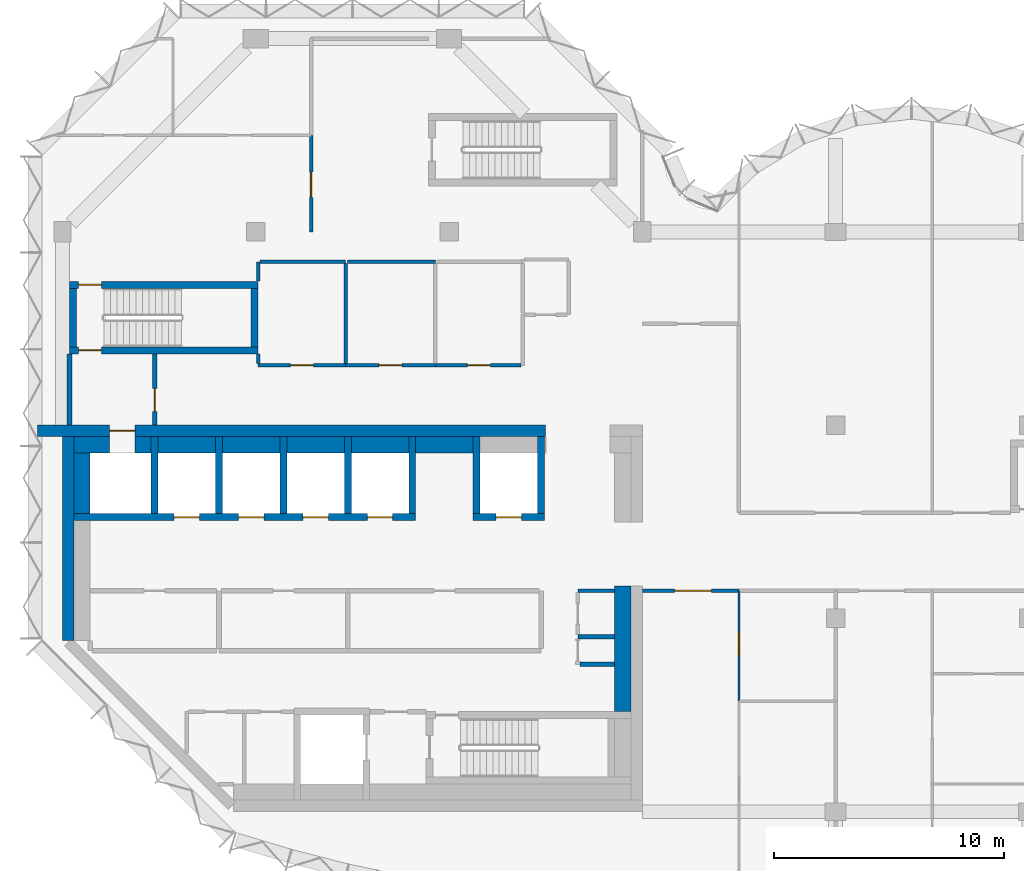
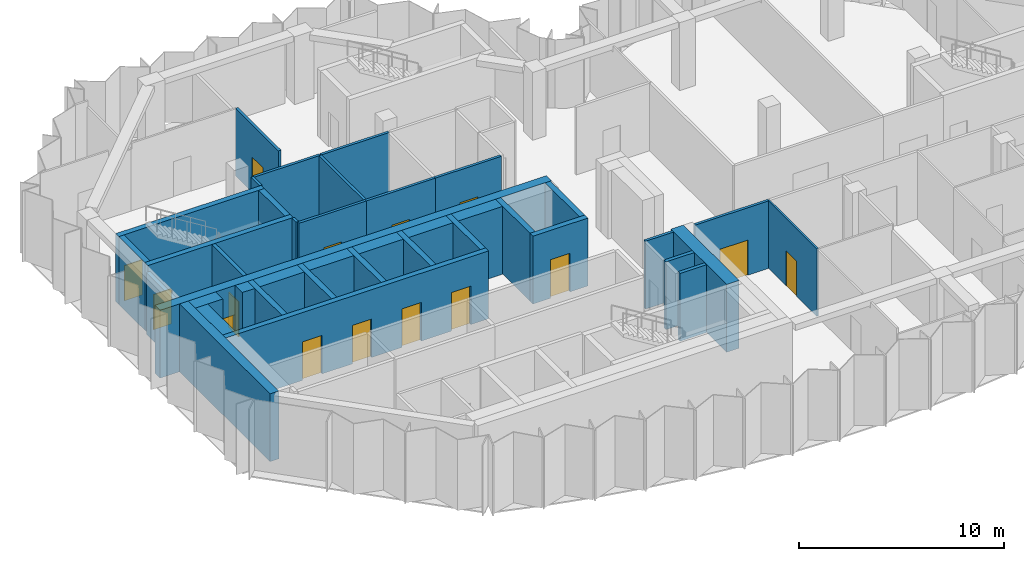
# One storey, part 5 of 10: 40 walls, 15 doors, 15 openings.
"""IFC4 building model written with IfcOpenShell, lengths in metres."""

from ifc_helpers import new_model, si_unit, direction, frame, frame_2d, origin, place, context, subcontext, project, spatial, rectangle, extrude, material, layer, layer_set, type_object, element, fill, save


model = new_model("IFC4")

# Units and contexts
model_context = context("Model", 3, precision=1e-05, world=origin(), true_north=direction((0.0, 1.0)))
body_context = subcontext(model_context, "Body", "Model", "MODEL_VIEW")
ifc_project = project(units=[si_unit("LENGTHUNIT", "METRE"), si_unit("AREAUNIT", "SQUARE_METRE"), si_unit("VOLUMEUNIT", "CUBIC_METRE"), si_unit("PLANEANGLEUNIT", "RADIAN"), si_unit("MASSUNIT", "GRAM", prefix="KILO")], contexts=[model_context])

# Site, building, storey
site_placement = place(None, origin())
site = spatial("IfcSite", under=ifc_project, at=site_placement, CompositionType="ELEMENT")
building_placement = place(site_placement, origin())
building = spatial("IfcBuilding", under=site, at=building_placement, Name="Brevane Broadcast Tower", CompositionType="ELEMENT")
storey_placement = place(building_placement, frame((0.0, 0.0, 251.699951171875)))
storey = spatial("IfcBuildingStorey", under=building, at=storey_placement, Name="L64", CompositionType="ELEMENT", Elevation=251.699951171875)

# Walls
ifc_material_1 = material(Name="Concrete C32/40", Category="concrete")
ifc_layer_1 = layer(ifc_material_1, 0.699951171875)
ifc_layer_set_1 = layer_set([ifc_layer_1], Name="Core chase wall 700 mm")
wall_type_1 = type_object("IfcWallType", Name="Core chase wall 700 mm", PredefinedType="PARTITIONING", material=ifc_layer_set_1)
wall_1_placement = place(storey_placement, frame((0.5, 15.949951171875, 0.0), z_axis=(0.0, 0.0, 1.0), x_axis=(1.0, 0.0, 0.0)))
element("IfcWall", 1, at=wall_1_placement, inside=storey, type_object=wall_type_1, Name="L64 chase wall LN0", PredefinedType="PARTITIONING", context=body_context, shape_type="SweptSolid", body=[
    extrude(rectangle(XDim=1.550048828125, YDim=0.699951171875, at=frame_2d((0.77490234375, 0.0))), origin(), (0.0, 0.0, 1.0), 4.050048828125),
])
wall_2_placement = place(storey_placement, frame((0.85009765625, 12.949951171875, 0.0), z_axis=(0.0, 0.0, 1.0), x_axis=(0.0, 1.0, 0.0)))
element("IfcWall", 2, at=wall_2_placement, inside=storey, type_object=wall_type_1, Name="L64 chase wall LW-2", PredefinedType="PARTITIONING", context=body_context, shape_type="SweptSolid", body=[
    extrude(rectangle(XDim=2.650146484375, YDim=0.699951171875, at=frame_2d((1.3251953125, 0.0))), origin(), (0.0, 0.0, 1.0), 4.050048828125),
])
wall_3_placement = place(storey_placement, frame((3.14990234375, 15.949951171875, 0.0), z_axis=(0.0, 0.0, 1.0), x_axis=(1.0, 0.0, 0.0)))
element("IfcWall", 3, at=wall_3_placement, inside=storey, type_object=wall_type_1, Name="L64 chase wall LN1-1", PredefinedType="PARTITIONING", context=body_context, shape_type="SweptSolid", body=[
    extrude(rectangle(XDim=0.7001953125, YDim=0.699951171875, at=frame_2d((0.35009765625, 0.0))), origin(), (0.0, 0.0, 1.0), 4.050048828125),
])
for number, where, z_axis, x_axis, name in (
    (4, (4.14990234375, 15.949951171875, 0.0), (0.0, 0.0, 1.0), (1.0, 0.0, 0.0), "L64 chase wall LN1-2-1"),
    (5, (6.949951171875, 15.949951171875, 0.0), (0.0, 0.0, 1.0), (1.0, 0.0, 0.0), "L64 chase wall LN1-2-2-1"),
    (6, (9.75, 15.949951171875, 0.0), (0.0, 0.0, 1.0), (1.0, 0.0, 0.0), "L64 chase wall LN1-2-2-2-1"),
    (7, (12.550048828125, 15.949951171875, 0.0), (0.0, 0.0, 1.0), (1.0, 0.0, 0.0), "L64 chase wall LN1-2-2-2-2-1"),
    (8, (15.35009765625, 15.949951171875, 0.0), (0.0, 0.0, 1.0), (1.0, 0.0, 0.0), "L64 chase wall LN1-2-2-2-2-2-1"),
):
    element("IfcWall", number, at=place(storey_placement, frame(where, z_axis=z_axis, x_axis=x_axis)), inside=storey, type_object=wall_type_1, Name=name, PredefinedType="PARTITIONING", context=body_context, shape_type="SweptSolid", body=[
        extrude(rectangle(XDim=2.5, YDim=0.699951171875, at=frame_2d((1.25, 0.0))), origin(), (0.0, 0.0, 1.0), 4.050048828125),
    ])
wall_4_placement = place(storey_placement, frame((24.35009765625, 4.35009765625, 0.0), z_axis=(0.0, 0.0, 1.0), x_axis=(0.0, 1.0, 0.0)))
element("IfcWall", 9, at=wall_4_placement, inside=storey, type_object=wall_type_1, Name="L64 chase wall LE1-2-2", PredefinedType="PARTITIONING", context=body_context, shape_type="SweptSolid", body=[
    extrude(rectangle(XDim=5.449951171875, YDim=0.699951171875, at=frame_2d((2.72509765625, 0.0))), origin(), (0.0, 0.0, 1.0), 4.050048828125),
])

# Wall, opening, door
ifc_material_2 = material(Name="Gypsum board on steel studs", Category="steel")
ifc_layer_2 = layer(ifc_material_2, 0.14990234375)
ifc_layer_set_2 = layer_set([ifc_layer_2], Name="Core fire partition 150 mm")
wall_type_2 = type_object("IfcWallType", Name="Core fire partition 150 mm", PredefinedType="PARTITIONING", material=ifc_layer_set_2)
wall_5_placement = place(storey_placement, frame((12.300048828125, 19.39990234375, 0.0), z_axis=(0.0, 0.0, 1.0), x_axis=(-1.0, 0.0, 0.0)))
wall_5 = element("IfcWall", 10, at=wall_5_placement, inside=storey, type_object=wall_type_2, Name="L64 partition wall P22", PredefinedType="PARTITIONING", context=body_context, shape_type="SweptSolid", body=[
    extrude(rectangle(XDim=3.800048828125, YDim=0.14990234375, at=frame_2d((1.89990234375, 0.0))), origin(), (0.0, 0.0, 1.0), 4.050048828125),
])
opening_1_placement = place(wall_5_placement, frame((1.39990234375, 0.0, 0.0)))
opening_1 = element("IfcOpeningElement", 11, at=opening_1_placement, cuts=wall_5, Name="Opening L64-K24", PredefinedType="OPENING", context=body_context, shape_type="SweptSolid", body=[
    extrude(rectangle(XDim=1.0, YDim=2.10009765625, at=frame_2d((0.5, 1.050048828125))), frame((0.0, 0.0849609375, 0.0), z_axis=(0.0, -1.0, 0.0), x_axis=(1.0, 0.0, 0.0)), (0.0, 0.0, 1.0), 0.169921875),
])
ifc_material_3 = material(Name="Steel", Category="steel")
door_type_1 = type_object("IfcDoorType", Name="Service room door 1000 x 2100", OperationType="SINGLE_SWING_LEFT", PredefinedType="DOOR", material=ifc_material_3)
door_1_placement = place(opening_1_placement, origin())
door_1 = element("IfcDoor", 12, at=door_1_placement, inside=storey, type_object=door_type_1, Name="Door L64-K24", OperationType="SINGLE_SWING_RIGHT", OverallHeight=2.10009765625, OverallWidth=1.0, PredefinedType="DOOR", context=body_context, shape_type="SweptSolid", body=[
    extrude(rectangle(XDim=1.0, YDim=2.10009765625, at=frame_2d((0.5, 1.050048828125))), frame((0.0, 0.02490234375, 0.0), z_axis=(0.0, -1.0, 0.0), x_axis=(1.0, 0.0, 0.0)), (0.0, 0.0, 1.0), 0.050048828125),
])
fill(opening_1, door_1)

# Walls
wall_6_placement = place(storey_placement, frame((8.5, 19.47509765625, 0.0), z_axis=(0.0, 0.0, 1.0), x_axis=(0.0, 1.0, 0.0)))
element("IfcWall", 13, at=wall_6_placement, inside=storey, type_object=wall_type_2, Name="L64 partition wall P23", PredefinedType="PARTITIONING", context=body_context, shape_type="SweptSolid", body=[
    extrude(rectangle(XDim=0.412841796875, YDim=0.14990234375, at=frame_2d((0.20654296875, 0.0))), origin(), (0.0, 0.0, 1.0), 4.050048828125),
])
wall_7_placement = place(storey_placement, frame((8.5, 23.06201171875, 0.0), z_axis=(0.0, 0.0, 1.0), x_axis=(0.0, 1.0, 0.0)))
element("IfcWall", 14, at=wall_7_placement, inside=storey, type_object=wall_type_2, Name="L64 partition wall P24", PredefinedType="PARTITIONING", context=body_context, shape_type="SweptSolid", body=[
    extrude(rectangle(XDim=0.837890625, YDim=0.14990234375, at=frame_2d((0.4189453125, 0.0))), origin(), (0.0, 0.0, 1.0), 4.050048828125),
])
wall_8_placement = place(storey_placement, frame((8.574951171875, 23.89990234375, 0.0), z_axis=(0.0, 0.0, 1.0), x_axis=(1.0, 0.0, 0.0)))
element("IfcWall", 15, at=wall_8_placement, inside=storey, type_object=wall_type_2, Name="L64 partition wall P25", PredefinedType="PARTITIONING", context=body_context, shape_type="SweptSolid", body=[
    extrude(rectangle(XDim=3.72509765625, YDim=0.14990234375, at=frame_2d((1.862548828125, 0.0))), origin(), (0.0, 0.0, 1.0), 4.050048828125),
])

# Wall, opening, door
wall_9_placement = place(storey_placement, frame((16.199951171875, 19.39990234375, 0.0), z_axis=(0.0, 0.0, 1.0), x_axis=(-1.0, 0.0, 0.0)))
wall_9 = element("IfcWall", 16, at=wall_9_placement, inside=storey, type_object=wall_type_2, Name="L64 partition wall P26", PredefinedType="PARTITIONING", context=body_context, shape_type="SweptSolid", body=[
    extrude(rectangle(XDim=3.89990234375, YDim=0.14990234375, at=frame_2d((1.949951171875, 0.0))), origin(), (0.0, 0.0, 1.0), 4.050048828125),
])
opening_2_placement = place(wall_9_placement, frame((1.449951171875, 0.0, 0.0)))
opening_2 = element("IfcOpeningElement", 17, at=opening_2_placement, cuts=wall_9, Name="Opening L64-K25", PredefinedType="OPENING", context=body_context, shape_type="SweptSolid", body=[
    extrude(rectangle(XDim=1.0, YDim=2.10009765625, at=frame_2d((0.5, 1.050048828125))), frame((0.0, 0.0849609375, 0.0), z_axis=(0.0, -1.0, 0.0), x_axis=(1.0, 0.0, 0.0)), (0.0, 0.0, 1.0), 0.169921875),
])
door_2_placement = place(opening_2_placement, origin())
door_2 = element("IfcDoor", 18, at=door_2_placement, inside=storey, type_object=door_type_1, Name="Door L64-K25", OperationType="SINGLE_SWING_LEFT", OverallHeight=2.10009765625, OverallWidth=1.0, PredefinedType="DOOR", context=body_context, shape_type="SweptSolid", body=[
    extrude(rectangle(XDim=1.0, YDim=2.10009765625, at=frame_2d((0.5, 1.050048828125))), frame((0.0, 0.02490234375, 0.0), z_axis=(0.0, -1.0, 0.0), x_axis=(1.0, 0.0, 0.0)), (0.0, 0.0, 1.0), 0.050048828125),
])
fill(opening_2, door_2)

# Walls
wall_10_placement = place(storey_placement, frame((12.300048828125, 23.824951171875, 0.0), z_axis=(0.0, 0.0, 1.0), x_axis=(0.0, -1.0, 0.0)))
element("IfcWall", 19, at=wall_10_placement, inside=storey, type_object=wall_type_2, Name="L64 partition wall P27", PredefinedType="PARTITIONING", context=body_context, shape_type="SweptSolid", body=[
    extrude(rectangle(XDim=4.349853515625, YDim=0.14990234375, at=frame_2d((2.1748046875, 0.0))), origin(), (0.0, 0.0, 1.0), 4.050048828125),
])
wall_11_placement = place(storey_placement, frame((12.375, 23.89990234375, 0.0), z_axis=(0.0, 0.0, 1.0), x_axis=(1.0, 0.0, 0.0)))
element("IfcWall", 20, at=wall_11_placement, inside=storey, type_object=wall_type_2, Name="L64 partition wall P28", PredefinedType="PARTITIONING", context=body_context, shape_type="SweptSolid", body=[
    extrude(rectangle(XDim=3.824951171875, YDim=0.14990234375, at=frame_2d((1.91259765625, 0.0))), origin(), (0.0, 0.0, 1.0), 4.050048828125),
])

# Wall, opening, door
wall_12_placement = place(storey_placement, frame((19.925048828125, 19.39990234375, 0.0), z_axis=(0.0, 0.0, 1.0), x_axis=(-1.0, 0.0, 0.0)))
wall_12 = element("IfcWall", 21, at=wall_12_placement, inside=storey, type_object=wall_type_2, Name="L64 partition wall P30", PredefinedType="PARTITIONING", context=body_context, shape_type="SweptSolid", body=[
    extrude(rectangle(XDim=3.72509765625, YDim=0.14990234375, at=frame_2d((1.862548828125, 0.0))), origin(), (0.0, 0.0, 1.0), 4.050048828125),
])
opening_3_placement = place(wall_12_placement, frame((1.324951171875, 0.0, 0.0)))
opening_3 = element("IfcOpeningElement", 22, at=opening_3_placement, cuts=wall_12, Name="Opening L64-K26", PredefinedType="OPENING", context=body_context, shape_type="SweptSolid", body=[
    extrude(rectangle(XDim=1.0, YDim=2.10009765625, at=frame_2d((0.5, 1.050048828125))), frame((0.0, 0.0849609375, 0.0), z_axis=(0.0, -1.0, 0.0), x_axis=(1.0, 0.0, 0.0)), (0.0, 0.0, 1.0), 0.169921875),
])
door_3_placement = place(opening_3_placement, origin())
door_3 = element("IfcDoor", 23, at=door_3_placement, inside=storey, type_object=door_type_1, Name="Door L64-K26", OperationType="SINGLE_SWING_RIGHT", OverallHeight=2.10009765625, OverallWidth=1.0, PredefinedType="DOOR", context=body_context, shape_type="SweptSolid", body=[
    extrude(rectangle(XDim=1.0, YDim=2.10009765625, at=frame_2d((0.5, 1.050048828125))), frame((0.0, 0.02490234375, 0.0), z_axis=(0.0, -1.0, 0.0), x_axis=(1.0, 0.0, 0.0)), (0.0, 0.0, 1.0), 0.050048828125),
])
fill(opening_3, door_3)

# Walls
wall_13_placement = place(storey_placement, frame((23.988037109375, 9.60009765625, 0.0), z_axis=(0.0, 0.0, 1.0), x_axis=(-1.0, 0.0, 0.0)))
element("IfcWall", 24, at=wall_13_placement, inside=storey, type_object=wall_type_2, Name="L64 partition wall P38", PredefinedType="PARTITIONING", context=body_context, shape_type="SweptSolid", body=[
    extrude(rectangle(XDim=1.588134765625, YDim=0.14990234375, at=frame_2d((0.7939453125, 0.0))), origin(), (0.0, 0.0, 1.0), 4.050048828125),
])
ifc_layer_3 = layer(ifc_material_2, 0.199951171875)
ifc_layer_set_3 = layer_set([ifc_layer_3], Name="Core fire partition 200 mm")
wall_type_3 = type_object("IfcWallType", Name="Core fire partition 200 mm", PredefinedType="PARTITIONING", material=ifc_layer_set_3)
wall_14_placement = place(storey_placement, frame((0.300048828125, 16.81201171875, 0.0), z_axis=(0.0, 0.0, 1.0), x_axis=(0.0, 1.0, 0.0)))
element("IfcWall", 25, at=wall_14_placement, inside=storey, type_object=wall_type_3, Name="L64 partition wall P01", PredefinedType="PARTITIONING", context=body_context, shape_type="SweptSolid", body=[
    extrude(rectangle(XDim=3.075927734375, YDim=0.199951171875, at=frame_2d((1.5380859375, 0.0))), origin(), (0.0, 0.0, 1.0), 3.679931640625),
])

# Wall, opening, door
wall_15_placement = place(storey_placement, frame((4.0, 19.887939453125, 0.0), z_axis=(0.0, 0.0, 1.0), x_axis=(0.0, -1.0, 0.0)))
wall_15 = element("IfcWall", 26, at=wall_15_placement, inside=storey, type_object=wall_type_3, Name="L64 partition wall P02", PredefinedType="PARTITIONING", context=body_context, shape_type="SweptSolid", body=[
    extrude(rectangle(XDim=3.075927734375, YDim=0.199951171875, at=frame_2d((1.5380859375, 0.0))), origin(), (0.0, 0.0, 1.0), 4.050048828125),
])
opening_4_placement = place(wall_15_placement, frame((1.488037109375, 0.0, 0.0)))
opening_4 = element("IfcOpeningElement", 27, at=opening_4_placement, cuts=wall_15, Name="Opening L64-K22", PredefinedType="OPENING", context=body_context, shape_type="SweptSolid", body=[
    extrude(rectangle(XDim=1.0, YDim=2.10009765625, at=frame_2d((0.5, 1.050048828125))), frame((0.0, 0.10986328125, 0.0), z_axis=(0.0, -1.0, 0.0), x_axis=(1.0, 0.0, 0.0)), (0.0, 0.0, 1.0), 0.219970703125),
])
door_type_2 = type_object("IfcDoorType", Name="Stair door 1000 x 2100", OperationType="SINGLE_SWING_LEFT", PredefinedType="DOOR", material=ifc_material_3)
door_4_placement = place(opening_4_placement, origin())
door_4 = element("IfcDoor", 28, at=door_4_placement, inside=storey, type_object=door_type_2, Name="Door L64-K22", OperationType="SINGLE_SWING_RIGHT", OverallHeight=2.10009765625, OverallWidth=1.0, PredefinedType="DOOR", context=body_context, shape_type="SweptSolid", body=[
    extrude(rectangle(XDim=1.0, YDim=2.10009765625, at=frame_2d((0.5, 1.050048828125))), frame((0.0, 0.02490234375, 0.0), z_axis=(0.0, -1.0, 0.0), x_axis=(1.0, 0.0, 0.0)), (0.0, 0.0, 1.0), 0.050048828125),
])
fill(opening_4, door_4)

# Walls
wall_16_placement = place(storey_placement, frame((23.988037109375, 7.60009765625, 0.0), z_axis=(0.0, 0.0, 1.0), x_axis=(-1.0, 0.0, 0.0)))
element("IfcWall", 29, at=wall_16_placement, inside=storey, type_object=wall_type_3, Name="L64 partition wall P14", PredefinedType="PARTITIONING", context=body_context, shape_type="SweptSolid", body=[
    extrude(rectangle(XDim=1.588134765625, YDim=0.199951171875, at=frame_2d((0.7939453125, 0.0))), origin(), (0.0, 0.0, 1.0), 4.050048828125),
])
wall_17_placement = place(storey_placement, frame((22.5, 6.39990234375, 0.0), z_axis=(0.0, 0.0, 1.0), x_axis=(1.0, 0.0, 0.0)))
element("IfcWall", 30, at=wall_17_placement, inside=storey, type_object=wall_type_3, Name="L64 partition wall P16", PredefinedType="PARTITIONING", context=body_context, shape_type="SweptSolid", body=[
    extrude(rectangle(XDim=1.488037109375, YDim=0.199951171875, at=frame_2d((0.744140625, 0.0))), origin(), (0.0, 0.0, 1.0), 4.050048828125),
])

# Wall, openings, doors
ifc_material_4 = material(Name="Concrete C50/60", Category="concrete")
ifc_layer_4 = layer(ifc_material_4, 0.300048828125)
ifc_layer_set_4 = layer_set([ifc_layer_4], Name="Core wall 300 mm C50/60")
wall_type_4 = type_object("IfcWallType", Name="Core wall 300 mm C50/60", PredefinedType="SHEAR", material=ifc_layer_set_4)
wall_18_placement = place(storey_placement, frame((0.5, 12.800048828125, 0.0), z_axis=(0.0, 0.0, 1.0), x_axis=(1.0, 0.0, 0.0)))
wall_18 = element("IfcWall", 31, at=wall_18_placement, inside=storey, type_object=wall_type_4, Name="L64 shaft wall SH-N012-front", PredefinedType="SHEAR", context=body_context, shape_type="SweptSolid", body=[
    extrude(rectangle(XDim=14.85009765625, YDim=0.300048828125, at=frame_2d((7.425048828125, 0.0))), origin(), (0.0, 0.0, 1.0), 4.050048828125),
])
opening_5_placement = place(wall_18_placement, frame((4.35009765625, 0.0, 0.0)))
opening_5 = element("IfcOpeningElement", 32, at=opening_5_placement, cuts=wall_18, Name="Opening LD", PredefinedType="OPENING", context=body_context, shape_type="SweptSolid", body=[
    extrude(rectangle(XDim=1.10009765625, YDim=2.300048828125, at=frame_2d((0.550048828125, 1.14990234375))), frame((0.0, 0.159912109375, 0.0), z_axis=(0.0, -1.0, 0.0), x_axis=(1.0, 0.0, 0.0)), (0.0, 0.0, 1.0), 0.320068359375),
])
opening_6_placement = place(wall_18_placement, frame((7.14990234375, 0.0, 0.0)))
opening_6 = element("IfcOpeningElement", 33, at=opening_6_placement, cuts=wall_18, Name="Opening LD", PredefinedType="OPENING", context=body_context, shape_type="SweptSolid", body=[
    extrude(rectangle(XDim=1.10009765625, YDim=2.300048828125, at=frame_2d((0.550048828125, 1.14990234375))), frame((0.0, 0.159912109375, 0.0), z_axis=(0.0, -1.0, 0.0), x_axis=(1.0, 0.0, 0.0)), (0.0, 0.0, 1.0), 0.320068359375),
])
opening_7_placement = place(wall_18_placement, frame((9.949951171875, 0.0, 0.0)))
opening_7 = element("IfcOpeningElement", 34, at=opening_7_placement, cuts=wall_18, Name="Opening LD", PredefinedType="OPENING", context=body_context, shape_type="SweptSolid", body=[
    extrude(rectangle(XDim=1.10009765625, YDim=2.300048828125, at=frame_2d((0.550048828125, 1.14990234375))), frame((0.0, 0.159912109375, 0.0), z_axis=(0.0, -1.0, 0.0), x_axis=(1.0, 0.0, 0.0)), (0.0, 0.0, 1.0), 0.320068359375),
])
opening_8_placement = place(wall_18_placement, frame((12.75, 0.0, 0.0)))
opening_8 = element("IfcOpeningElement", 35, at=opening_8_placement, cuts=wall_18, Name="Opening LD", PredefinedType="OPENING", context=body_context, shape_type="SweptSolid", body=[
    extrude(rectangle(XDim=1.10009765625, YDim=2.300048828125, at=frame_2d((0.550048828125, 1.14990234375))), frame((0.0, 0.159912109375, 0.0), z_axis=(0.0, -1.0, 0.0), x_axis=(1.0, 0.0, 0.0)), (0.0, 0.0, 1.0), 0.320068359375),
])
ifc_material_5 = material(Name="Stainless steel", Category="steel")
door_type_3 = type_object("IfcDoorType", Name="Lift landing door", OperationType="SLIDING_TO_LEFT", PredefinedType="DOOR", material=ifc_material_5)
door_5_placement = place(opening_5_placement, origin())
door_5 = element("IfcDoor", 36, at=door_5_placement, inside=storey, type_object=door_type_3, Name="Landing door HR1 L64", OperationType="SLIDING_TO_LEFT", OverallHeight=2.300048828125, OverallWidth=1.10009765625, PredefinedType="DOOR", context=body_context, shape_type="SweptSolid", body=[
    extrude(rectangle(XDim=1.10009765625, YDim=2.300048828125, at=frame_2d((0.550048828125, 1.14990234375))), frame((0.0, 0.02490234375, 0.0), z_axis=(0.0, -1.0, 0.0), x_axis=(1.0, 0.0, 0.0)), (0.0, 0.0, 1.0), 0.050048828125),
])
fill(opening_5, door_5)
door_6_placement = place(opening_6_placement, origin())
door_6 = element("IfcDoor", 37, at=door_6_placement, inside=storey, type_object=door_type_3, Name="Landing door HR2 L64", OperationType="SLIDING_TO_LEFT", OverallHeight=2.300048828125, OverallWidth=1.10009765625, PredefinedType="DOOR", context=body_context, shape_type="SweptSolid", body=[
    extrude(rectangle(XDim=1.10009765625, YDim=2.300048828125, at=frame_2d((0.550048828125, 1.14990234375))), frame((0.0, 0.02490234375, 0.0), z_axis=(0.0, -1.0, 0.0), x_axis=(1.0, 0.0, 0.0)), (0.0, 0.0, 1.0), 0.050048828125),
])
fill(opening_6, door_6)
door_7_placement = place(opening_7_placement, origin())
door_7 = element("IfcDoor", 38, at=door_7_placement, inside=storey, type_object=door_type_3, Name="Landing door HR3 L64", OperationType="SLIDING_TO_LEFT", OverallHeight=2.300048828125, OverallWidth=1.10009765625, PredefinedType="DOOR", context=body_context, shape_type="SweptSolid", body=[
    extrude(rectangle(XDim=1.10009765625, YDim=2.300048828125, at=frame_2d((0.550048828125, 1.14990234375))), frame((0.0, 0.02490234375, 0.0), z_axis=(0.0, -1.0, 0.0), x_axis=(1.0, 0.0, 0.0)), (0.0, 0.0, 1.0), 0.050048828125),
])
fill(opening_7, door_7)
door_8_placement = place(opening_8_placement, origin())
door_8 = element("IfcDoor", 39, at=door_8_placement, inside=storey, type_object=door_type_3, Name="Landing door HR4 L64", OperationType="SLIDING_TO_LEFT", OverallHeight=2.300048828125, OverallWidth=1.10009765625, PredefinedType="DOOR", context=body_context, shape_type="SweptSolid", body=[
    extrude(rectangle(XDim=1.10009765625, YDim=2.300048828125, at=frame_2d((0.550048828125, 1.14990234375))), frame((0.0, 0.02490234375, 0.0), z_axis=(0.0, -1.0, 0.0), x_axis=(1.0, 0.0, 0.0)), (0.0, 0.0, 1.0), 0.050048828125),
])
fill(opening_8, door_8)

# Walls
for number, where, z_axis, x_axis, name in (
    (40, (4.0, 12.949951171875, 0.0), (0.0, 0.0, 1.0), (0.0, 1.0, 0.0), "L64 shaft wall SH-N-P040"),
    (41, (6.800048828125, 12.949951171875, 0.0), (0.0, 0.0, 1.0), (0.0, 1.0, 0.0), "L64 shaft wall SH-N-P068"),
    (42, (9.60009765625, 12.949951171875, 0.0), (0.0, 0.0, 1.0), (0.0, 1.0, 0.0), "L64 shaft wall SH-N-P096"),
    (43, (12.39990234375, 12.949951171875, 0.0), (0.0, 0.0, 1.0), (0.0, 1.0, 0.0), "L64 shaft wall SH-N-P124"),
    (44, (15.199951171875, 12.949951171875, 0.0), (0.0, 0.0, 1.0), (0.0, 1.0, 0.0), "L64 shaft wall SH-N-P152"),
):
    element("IfcWall", number, at=place(storey_placement, frame(where, z_axis=z_axis, x_axis=x_axis)), inside=storey, type_object=wall_type_4, Name=name, PredefinedType="SHEAR", context=body_context, shape_type="SweptSolid", body=[
        extrude(rectangle(XDim=3.35009765625, YDim=0.300048828125, at=frame_2d((1.675048828125, 0.0))), origin(), (0.0, 0.0, 1.0), 4.050048828125),
    ])

# Wall, opening, door
wall_19_placement = place(storey_placement, frame((17.85009765625, 12.800048828125, 0.0), z_axis=(0.0, 0.0, 1.0), x_axis=(1.0, 0.0, 0.0)))
wall_19 = element("IfcWall", 45, at=wall_19_placement, inside=storey, type_object=wall_type_4, Name="L64 shaft wall SH-N180-front", PredefinedType="SHEAR", context=body_context, shape_type="SweptSolid", body=[
    extrude(rectangle(XDim=3.099853515625, YDim=0.300048828125, at=frame_2d((1.5498046875, 0.0))), origin(), (0.0, 0.0, 1.0), 4.050048828125),
])
opening_9_placement = place(wall_19_placement, frame((1.0, 0.0, 0.0)))
opening_9 = element("IfcOpeningElement", 46, at=opening_9_placement, cuts=wall_19, Name="Opening LD", PredefinedType="OPENING", context=body_context, shape_type="SweptSolid", body=[
    extrude(rectangle(XDim=1.10009765625, YDim=2.300048828125, at=frame_2d((0.550048828125, 1.14990234375))), frame((0.0, 0.159912109375, 0.0), z_axis=(0.0, -1.0, 0.0), x_axis=(1.0, 0.0, 0.0)), (0.0, 0.0, 1.0), 0.320068359375),
])
door_9_placement = place(opening_9_placement, origin())
door_9 = element("IfcDoor", 47, at=door_9_placement, inside=storey, type_object=door_type_3, Name="Landing door SL1 L64", OperationType="SLIDING_TO_LEFT", OverallHeight=2.300048828125, OverallWidth=1.10009765625, PredefinedType="DOOR", context=body_context, shape_type="SweptSolid", body=[
    extrude(rectangle(XDim=1.10009765625, YDim=2.300048828125, at=frame_2d((0.550048828125, 1.14990234375))), frame((0.0, 0.02490234375, 0.0), z_axis=(0.0, -1.0, 0.0), x_axis=(1.0, 0.0, 0.0)), (0.0, 0.0, 1.0), 0.050048828125),
])
fill(opening_9, door_9)

# Walls
for number, where, z_axis, x_axis, name in (
    (48, (18.0, 12.949951171875, 0.0), (0.0, 0.0, 1.0), (0.0, 1.0, 0.0), "L64 shaft wall SH-N-P180"),
    (49, (20.800048828125, 12.949951171875, 0.0), (0.0, 0.0, 1.0), (0.0, 1.0, 0.0), "L64 shaft wall SH-N-P208"),
):
    element("IfcWall", number, at=place(storey_placement, frame(where, z_axis=z_axis, x_axis=x_axis)), inside=storey, type_object=wall_type_4, Name=name, PredefinedType="SHEAR", context=body_context, shape_type="SweptSolid", body=[
        extrude(rectangle(XDim=3.35009765625, YDim=0.300048828125, at=frame_2d((1.675048828125, 0.0))), origin(), (0.0, 0.0, 1.0), 4.050048828125),
    ])

# Wall, opening, door
wall_20_placement = place(storey_placement, frame((8.5, 20.050048828125, 0.0), z_axis=(0.0, 0.0, 1.0), x_axis=(-1.0, 0.0, 0.0)))
wall_20 = element("IfcWall", 50, at=wall_20_placement, inside=storey, type_object=wall_type_4, Name="L64 stair wall ST-1-S", PredefinedType="SHEAR", context=body_context, shape_type="SweptSolid", body=[
    extrude(rectangle(XDim=8.199951171875, YDim=0.300048828125, at=frame_2d((4.10009765625, 0.0))), origin(), (0.0, 0.0, 1.0), 4.050048828125),
])
opening_10_placement = place(wall_20_placement, frame((6.800048828125, 0.0, 0.0)))
opening_10 = element("IfcOpeningElement", 51, at=opening_10_placement, cuts=wall_20, Name="Opening L64-K08", PredefinedType="OPENING", context=body_context, shape_type="SweptSolid", body=[
    extrude(rectangle(XDim=1.0, YDim=2.10009765625, at=frame_2d((0.5, 1.050048828125))), frame((0.0, 0.159912109375, 0.0), z_axis=(0.0, -1.0, 0.0), x_axis=(1.0, 0.0, 0.0)), (0.0, 0.0, 1.0), 0.320068359375),
])
door_10_placement = place(opening_10_placement, origin())
door_10 = element("IfcDoor", 52, at=door_10_placement, inside=storey, type_object=door_type_2, Name="Door L64-K08", OperationType="SINGLE_SWING_RIGHT", OverallHeight=2.10009765625, OverallWidth=1.0, PredefinedType="DOOR", context=body_context, shape_type="SweptSolid", body=[
    extrude(rectangle(XDim=1.0, YDim=2.10009765625, at=frame_2d((0.5, 1.050048828125))), frame((0.0, 0.02490234375, 0.0), z_axis=(0.0, -1.0, 0.0), x_axis=(1.0, 0.0, 0.0)), (0.0, 0.0, 1.0), 0.050048828125),
])
fill(opening_10, door_10)

wall_21_placement = place(storey_placement, frame((0.300048828125, 22.89990234375, 0.0), z_axis=(0.0, 0.0, 1.0), x_axis=(1.0, 0.0, 0.0)))
wall_21 = element("IfcWall", 53, at=wall_21_placement, inside=storey, type_object=wall_type_4, Name="L64 stair wall ST-1-N", PredefinedType="SHEAR", context=body_context, shape_type="SweptSolid", body=[
    extrude(rectangle(XDim=8.199951171875, YDim=0.300048828125, at=frame_2d((4.10009765625, 0.0))), origin(), (0.0, 0.0, 1.0), 4.050048828125),
])
opening_11_placement = place(wall_21_placement, frame((0.39990234375, 0.0, 0.0)))
opening_11 = element("IfcOpeningElement", 54, at=opening_11_placement, cuts=wall_21, Name="Opening L64-K09", PredefinedType="OPENING", context=body_context, shape_type="SweptSolid", body=[
    extrude(rectangle(XDim=1.0, YDim=2.10009765625, at=frame_2d((0.5, 1.050048828125))), frame((0.0, 0.159912109375, 0.0), z_axis=(0.0, -1.0, 0.0), x_axis=(1.0, 0.0, 0.0)), (0.0, 0.0, 1.0), 0.320068359375),
])
door_11_placement = place(opening_11_placement, origin())
door_11 = element("IfcDoor", 55, at=door_11_placement, inside=storey, type_object=door_type_2, Name="Door L64-K09", OperationType="SINGLE_SWING_LEFT", OverallHeight=2.10009765625, OverallWidth=1.0, PredefinedType="DOOR", context=body_context, shape_type="SweptSolid", body=[
    extrude(rectangle(XDim=1.0, YDim=2.10009765625, at=frame_2d((0.5, 1.050048828125))), frame((0.0, 0.02490234375, 0.0), z_axis=(0.0, -1.0, 0.0), x_axis=(1.0, 0.0, 0.0)), (0.0, 0.0, 1.0), 0.050048828125),
])
fill(opening_11, door_11)

# Walls
for number, where, z_axis, x_axis, name in (
    (56, (0.449951171875, 20.199951171875, 0.0), (0.0, 0.0, 1.0), (0.0, 1.0, 0.0), "L64 stair wall ST-1-W"),
    (57, (8.35009765625, 20.199951171875, 0.0), (0.0, 0.0, 1.0), (0.0, 1.0, 0.0), "L64 stair wall ST-1-E"),
):
    element("IfcWall", number, at=place(storey_placement, frame(where, z_axis=z_axis, x_axis=x_axis)), inside=storey, type_object=wall_type_4, Name=name, PredefinedType="SHEAR", context=body_context, shape_type="SweptSolid", body=[
        extrude(rectangle(XDim=2.550048828125, YDim=0.300048828125, at=frame_2d((1.27490234375, 0.0))), origin(), (0.0, 0.0, 1.0), 4.050048828125),
    ])

# Wall, opening, door
ifc_layer_5 = layer(ifc_material_4, 0.5)
ifc_layer_set_5 = layer_set([ifc_layer_5], Name="Core wall 500 mm C50/60")
wall_type_5 = type_object("IfcWallType", Name="Core wall 500 mm C50/60", PredefinedType="SHEAR", material=ifc_layer_set_5)
wall_22_placement = place(storey_placement, frame((-1.10009765625, 16.550048828125, 0.0), z_axis=(0.0, 0.0, 1.0), x_axis=(1.0, 0.0, 0.0)))
wall_22 = element("IfcWall", 58, at=wall_22_placement, inside=storey, type_object=wall_type_5, Name="L64 outer wall WN1", PredefinedType="SHEAR", context=body_context, shape_type="SweptSolid", body=[
    extrude(rectangle(XDim=22.10009765625, YDim=0.5, at=frame_2d((11.050048828125, 0.0))), origin(), (0.0, 0.0, 1.0), 4.050048828125),
])
opening_12_placement = place(wall_22_placement, frame((3.14990234375, 0.0, 0.0)))
opening_12 = element("IfcOpeningElement", 59, at=opening_12_placement, cuts=wall_22, Name="Opening LD", PredefinedType="OPENING", context=body_context, shape_type="SweptSolid", body=[
    extrude(rectangle(XDim=1.10009765625, YDim=2.300048828125, at=frame_2d((0.550048828125, 1.14990234375))), frame((0.0, 0.260009765625, 0.0), z_axis=(0.0, -1.0, 0.0), x_axis=(1.0, 0.0, 0.0)), (0.0, 0.0, 1.0), 0.52001953125),
])
door_12_placement = place(opening_12_placement, origin())
door_12 = element("IfcDoor", 60, at=door_12_placement, inside=storey, type_object=door_type_3, Name="Landing door FF1 L64", OperationType="SLIDING_TO_LEFT", OverallHeight=2.300048828125, OverallWidth=1.10009765625, PredefinedType="DOOR", context=body_context, shape_type="SweptSolid", body=[
    extrude(rectangle(XDim=1.10009765625, YDim=2.300048828125, at=frame_2d((0.550048828125, 1.14990234375))), frame((0.0, 0.02490234375, 0.0), z_axis=(0.0, -1.0, 0.0), x_axis=(1.0, 0.0, 0.0)), (0.0, 0.0, 1.0), 0.050048828125),
])
fill(opening_12, door_12)

# Wall
wall_23_placement = place(storey_placement, frame((0.25, 7.436279296875, 0.0), z_axis=(0.0, 0.0, 1.0), x_axis=(0.0, 1.0, 0.0)))
element("IfcWall", 61, at=wall_23_placement, inside=storey, type_object=wall_type_5, Name="L64 outer wall WW", PredefinedType="SHEAR", context=body_context, shape_type="SweptSolid", body=[
    extrude(rectangle(XDim=8.86376953125, YDim=0.5, at=frame_2d((4.431884765625, 0.0))), origin(), (0.0, 0.0, 1.0), 4.050048828125),
])

# Wall, opening, door
ifc_material_6 = material(Name="Gypsum board partition")
ifc_layer_6 = layer(ifc_material_6, 0.10009765625)
ifc_layer_set_6 = layer_set([ifc_layer_6], Name="PARTITION 100 STUD")
wall_type_6 = type_object("IfcWallType", Name="PARTITION 100 STUD", PredefinedType="PARTITIONING", material=ifc_layer_set_6)
wall_24_placement = place(storey_placement, frame((29.39990234375, 9.60009765625, 0.0), z_axis=(0.0, 0.0, 1.0), x_axis=(0.0, -1.0, 0.0)))
wall_24 = element("IfcWall", 62, at=wall_24_placement, inside=storey, type_object=wall_type_6, Name="Partition S3-016", PredefinedType="PARTITIONING", context=body_context, shape_type="SweptSolid", body=[
    extrude(rectangle(XDim=4.800048828125, YDim=0.10009765625, at=frame_2d((2.39990234375, 0.0))), origin(), (0.0, 0.0, 1.0), 4.030029296875),
])
opening_13_placement = place(wall_24_placement, frame((1.800048828125, 0.0, 0.0)))
opening_13 = element("IfcOpeningElement", 63, at=opening_13_placement, cuts=wall_24, Name="Opening D31-004", PredefinedType="OPENING", context=body_context, shape_type="SweptSolid", body=[
    extrude(rectangle(XDim=1.0, YDim=2.10009765625, at=frame_2d((0.5, 1.050048828125))), frame((0.0, 0.06005859375, 0.0), z_axis=(0.0, -1.0, 0.0), x_axis=(1.0, 0.0, 0.0)), (0.0, 0.0, 1.0), 0.1201171875),
])
ifc_material_7 = material(Name="Timber door leaf", Category="wood")
door_type_4 = type_object("IfcDoorType", Name="DOOR SINGLE 1000 INTERNAL", OperationType="SINGLE_SWING_LEFT", PredefinedType="DOOR", material=ifc_material_7)
door_13_placement = place(opening_13_placement, origin())
door_13 = element("IfcDoor", 64, at=door_13_placement, inside=storey, type_object=door_type_4, Name="Door D31-004", OperationType="SINGLE_SWING_LEFT", OverallHeight=2.10009765625, OverallWidth=1.0, PredefinedType="DOOR", context=body_context, shape_type="SweptSolid", body=[
    extrude(rectangle(XDim=1.0, YDim=2.10009765625, at=frame_2d((0.5, 1.050048828125))), frame((0.0, 0.02490234375, 0.0), z_axis=(0.0, -1.0, 0.0), x_axis=(1.0, 0.0, 0.0)), (0.0, 0.0, 1.0), 0.050048828125),
])
fill(opening_13, door_13)

ifc_layer_7 = layer(ifc_material_6, 0.14990234375)
ifc_layer_set_7 = layer_set([ifc_layer_7], Name="PARTITION 150 EI 60")
wall_type_7 = type_object("IfcWallType", Name="PARTITION 150 EI 60", PredefinedType="PARTITIONING", material=ifc_layer_set_7)
wall_25_placement = place(storey_placement, frame((29.39990234375, 9.60009765625, 0.0), z_axis=(0.0, 0.0, 1.0), x_axis=(-1.0, 0.0, 0.0)))
wall_25 = element("IfcWall", 65, at=wall_25_placement, inside=storey, type_object=wall_type_7, Name="Partition S3-002", PredefinedType="PARTITIONING", context=body_context, shape_type="SweptSolid", body=[
    extrude(rectangle(XDim=4.199951171875, YDim=0.14990234375, at=frame_2d((2.10009765625, 0.0))), origin(), (0.0, 0.0, 1.0), 4.030029296875),
])
opening_14_placement = place(wall_25_placement, frame((1.199951171875, 0.0, 0.0)))
opening_14 = element("IfcOpeningElement", 66, at=opening_14_placement, cuts=wall_25, Name="Opening D31-002", PredefinedType="OPENING", context=body_context, shape_type="SweptSolid", body=[
    extrude(rectangle(XDim=1.60009765625, YDim=2.10009765625, at=frame_2d((0.800048828125, 1.050048828125))), frame((0.0, 0.0849609375, 0.0), z_axis=(0.0, -1.0, 0.0), x_axis=(1.0, 0.0, 0.0)), (0.0, 0.0, 1.0), 0.169921875),
])
ifc_material_8 = material(Name="Fire-rated timber door leaf", Category="wood")
door_type_5 = type_object("IfcDoorType", Name="DOOR DOUBLE 1600 FD30S", OperationType="DOUBLE_DOOR_SINGLE_SWING", PredefinedType="DOOR", material=ifc_material_8)
door_14_placement = place(opening_14_placement, origin())
door_14 = element("IfcDoor", 67, at=door_14_placement, inside=storey, type_object=door_type_5, Name="Door D31-002", OperationType="DOUBLE_DOOR_SINGLE_SWING", OverallHeight=2.10009765625, OverallWidth=1.60009765625, PredefinedType="DOOR", context=body_context, shape_type="SweptSolid", body=[
    extrude(rectangle(XDim=1.60009765625, YDim=2.10009765625, at=frame_2d((0.800048828125, 1.050048828125))), frame((0.0, 0.02490234375, 0.0), z_axis=(0.0, -1.0, 0.0), x_axis=(1.0, 0.0, 0.0)), (0.0, 0.0, 1.0), 0.050048828125),
])
fill(opening_14, door_14)

wall_26_placement = place(storey_placement, frame((10.800048828125, 25.199951171875, 0.0), z_axis=(0.0, 0.0, 1.0), x_axis=(0.0, 1.0, 0.0)))
wall_26 = element("IfcWall", 68, at=wall_26_placement, inside=storey, type_object=wall_type_7, Name="Partition S3-041", PredefinedType="PARTITIONING", context=body_context, shape_type="SweptSolid", body=[
    extrude(rectangle(XDim=4.199951171875, YDim=0.14990234375, at=frame_2d((2.10009765625, 0.0))), origin(), (0.0, 0.0, 1.0), 4.030029296875),
])
opening_15_placement = place(wall_26_placement, frame((1.5, 0.0, 0.0)))
opening_15 = element("IfcOpeningElement", 69, at=opening_15_placement, cuts=wall_26, Name="Opening D31-016", PredefinedType="OPENING", context=body_context, shape_type="SweptSolid", body=[
    extrude(rectangle(XDim=1.10009765625, YDim=2.10009765625, at=frame_2d((0.550048828125, 1.050048828125))), frame((0.0, 0.0849609375, 0.0), z_axis=(0.0, -1.0, 0.0), x_axis=(1.0, 0.0, 0.0)), (0.0, 0.0, 1.0), 0.169921875),
])
door_type_6 = type_object("IfcDoorType", Name="DOOR SINGLE 1100 FD30S", OperationType="SINGLE_SWING_LEFT", PredefinedType="DOOR", material=ifc_material_8)
door_15_placement = place(opening_15_placement, origin())
door_15 = element("IfcDoor", 70, at=door_15_placement, inside=storey, type_object=door_type_6, Name="Door D31-016", OperationType="SINGLE_SWING_LEFT", OverallHeight=2.10009765625, OverallWidth=1.10009765625, PredefinedType="DOOR", context=body_context, shape_type="SweptSolid", body=[
    extrude(rectangle(XDim=1.10009765625, YDim=2.10009765625, at=frame_2d((0.550048828125, 1.050048828125))), frame((0.0, 0.02490234375, 0.0), z_axis=(0.0, -1.0, 0.0), x_axis=(1.0, 0.0, 0.0)), (0.0, 0.0, 1.0), 0.050048828125),
])
fill(opening_15, door_15)

save(model, "model.ifc")
